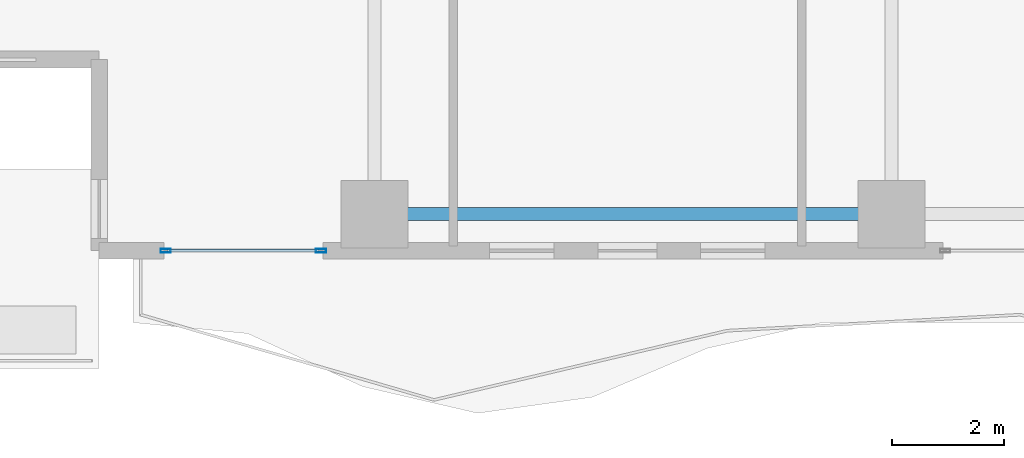
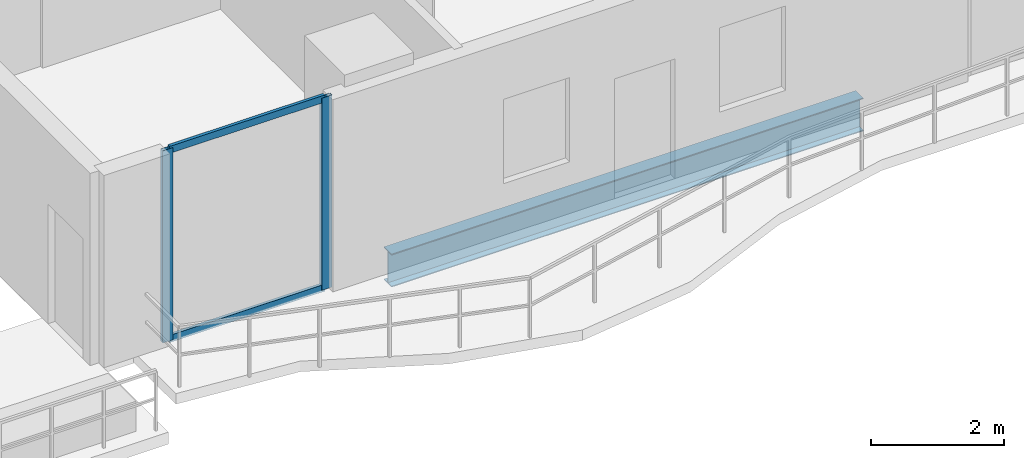
# One storey, part 2 of 32: 4 members, 1 beam, 1 element without a shape of its own.
"""IFC4 building model written with IfcOpenShell, lengths in metres."""

from ifc_helpers import new_model, si_unit, direction, frame, origin, origin_2d, place, context, subcontext, project, spatial, hollow_rectangle, i_section, extrude, material, layer, layer_set, material_profile, profile_set, type_object, element, aggregate, save


model = new_model("IFC4")

# Units and contexts
model_context = context("Model", 3, precision=1e-05, world=origin(), true_north=direction((0.0, 1.0)))
body_context = subcontext(model_context, "Body", "Model", "MODEL_VIEW")
ifc_project = project(units=[si_unit("LENGTHUNIT", "METRE"), si_unit("AREAUNIT", "SQUARE_METRE"), si_unit("VOLUMEUNIT", "CUBIC_METRE"), si_unit("PLANEANGLEUNIT", "RADIAN"), si_unit("MASSUNIT", "GRAM", prefix="KILO")], contexts=[model_context])

# Site, building, storey
site_placement = place(None, origin())
site = spatial("IfcSite", under=ifc_project, at=site_placement, CompositionType="ELEMENT")
building_placement = place(site_placement, origin())
building = spatial("IfcBuilding", under=site, at=building_placement, Name="Zuhayl Quay Hotel", CompositionType="ELEMENT")
storey_placement = place(building_placement, frame((0.0, 0.0, 192.39990234375)))
storey = spatial("IfcBuildingStorey", under=building, at=storey_placement, Name="L48", CompositionType="ELEMENT", Elevation=192.39990234375)

# Beam
ifc_material_1 = material(Name="Steel ASTM A992 Grade 50", Category="steel")
ifc_material_profile_1 = material_profile(ifc_material_1, i_section(OverallWidth=0.22802734375, OverallDepth=0.60693359375, WebThickness=0.01123046875, FlangeThickness=0.017333984375, at=origin_2d()), Name="W24X76")
ifc_profile_set_1 = profile_set([ifc_material_profile_1], Name="Steel ASTM A992 Grade 50")
beam_type = type_object("IfcBeamType", Name="BM_B3_W24X76", PredefinedType="BEAM", material=ifc_profile_set_1)
beam_placement = place(storey_placement, frame((-13.300048828125, -6.949951171875, -0.5234375), z_axis=(1.0, 0.0, 0.0), x_axis=(0.0, 1.0, 0.0)))
element("IfcBeam", 1, at=beam_placement, inside=storey, type_object=beam_type, Name="L48 Floor Beam RG_L48_01", PredefinedType="BEAM", context=body_context, shape_type="SweptSolid", body=[
    extrude(i_section(OverallWidth=0.22802734375, OverallDepth=0.60693359375, WebThickness=0.01123046875, FlangeThickness=0.017333984375, at=origin_2d()), origin(), (0.0, 0.0, 1.0), 8.199951171875),
])

# Curtain wall, members
ifc_material_2 = material(Name="Anodised Aluminium 6063-T6", Category="aluminium")
ifc_layer = layer(ifc_material_2, 0.175048828125, Name="Anodised Aluminium 6063-T6", Category="aluminium")
ifc_layer_set = layer_set([ifc_layer], Name="Anodised Aluminium 6063-T6")
curtain_wall_type = type_object("IfcCurtainWallType", Name="CW_SYS_Z3", PredefinedType="USERDEFINED", material=ifc_layer_set)
curtain_wall_placement = place(storey_placement, origin())
curtain_wall = element("IfcCurtainWall", 2, at=curtain_wall_placement, inside=storey, type_object=curtain_wall_type, Name="L48 Curtain Wall ENV_L48_S_CW5", ObjectType="UNITISED CURTAIN WALL", PredefinedType="USERDEFINED")
ifc_material_3 = material(Name="Black-anodised aluminium 6063-T6", Category="aluminium")
ifc_material_profile_2 = material_profile(ifc_material_3, hollow_rectangle(XDim=0.06494140625, YDim=0.179931640625, WallThickness=0.00341796875, at=origin_2d()), Name="ALU180X65")
ifc_profile_set_2 = profile_set([ifc_material_profile_2], Name="Black-anodised aluminium 6063-T6")
member_type_1 = type_object("IfcMemberType", Name="MB_CW_MUL_180", PredefinedType="MULLION", material=ifc_profile_set_2)
member_1_placement = place(storey_placement, frame((-14.75244140625, -7.60009765625, 0.0), z_axis=(0.0, 0.0, 1.0), x_axis=(0.0, -1.0, 0.0)))
member_1 = element("IfcMember", 3, at=member_1_placement, type_object=member_type_1, Name="CW-Z3 mullion 1", PredefinedType="MULLION", context=body_context, shape_type="SweptSolid", body=[
    extrude(hollow_rectangle(XDim=0.06494140625, YDim=0.179931640625, WallThickness=0.00341796875, at=origin_2d()), origin(), (0.0, 0.0, 1.0), 3.530029296875),
])
member_2_placement = place(storey_placement, frame((-17.517578125, -7.60009765625, 0.0), z_axis=(0.0, 0.0, 1.0), x_axis=(0.0, -1.0, 0.0)))
member_2 = element("IfcMember", 4, at=member_2_placement, type_object=member_type_1, Name="CW-Z3 mullion 2", PredefinedType="MULLION", context=body_context, shape_type="SweptSolid", body=[
    extrude(hollow_rectangle(XDim=0.06494140625, YDim=0.179931640625, WallThickness=0.00341796875, at=origin_2d()), origin(), (0.0, 0.0, 1.0), 3.530029296875),
])
ifc_material_profile_3 = material_profile(ifc_material_3, hollow_rectangle(XDim=0.054931640625, YDim=0.1298828125, WallThickness=0.0029296875, at=origin_2d()), Name="ALU130X55")
ifc_profile_set_3 = profile_set([ifc_material_profile_3], Name="Black-anodised aluminium 6063-T6")
member_type_2 = type_object("IfcMemberType", Name="MB_CW_TRN_130", PredefinedType="USERDEFINED", material=ifc_profile_set_3)
member_3_placement = place(storey_placement, frame((-14.784912109375, -7.60009765625, 0.027587890625), z_axis=(-1.0, 0.0, 0.0), x_axis=(0.0, -1.0, 0.0)))
member_3 = element("IfcMember", 5, at=member_3_placement, type_object=member_type_2, Name="CW-Z3 transom 1.1", ObjectType="TRANSOM", PredefinedType="USERDEFINED", context=body_context, shape_type="SweptSolid", body=[
    extrude(hollow_rectangle(XDim=0.054931640625, YDim=0.1298828125, WallThickness=0.0029296875, at=origin_2d()), origin(), (0.0, 0.0, 1.0), 2.7001953125),
])
member_4_placement = place(storey_placement, frame((-14.784912109375, -7.60009765625, 3.502685546875), z_axis=(-1.0, 0.0, 0.0), x_axis=(0.0, -1.0, 0.0)))
member_4 = element("IfcMember", 6, at=member_4_placement, type_object=member_type_2, Name="CW-Z3 transom 1.2", ObjectType="TRANSOM", PredefinedType="USERDEFINED", context=body_context, shape_type="SweptSolid", body=[
    extrude(hollow_rectangle(XDim=0.054931640625, YDim=0.1298828125, WallThickness=0.0029296875, at=origin_2d()), origin(), (0.0, 0.0, 1.0), 2.7001953125),
])
aggregate(curtain_wall, [member_1, member_2, member_3, member_4])

save(model, "model.ifc")
